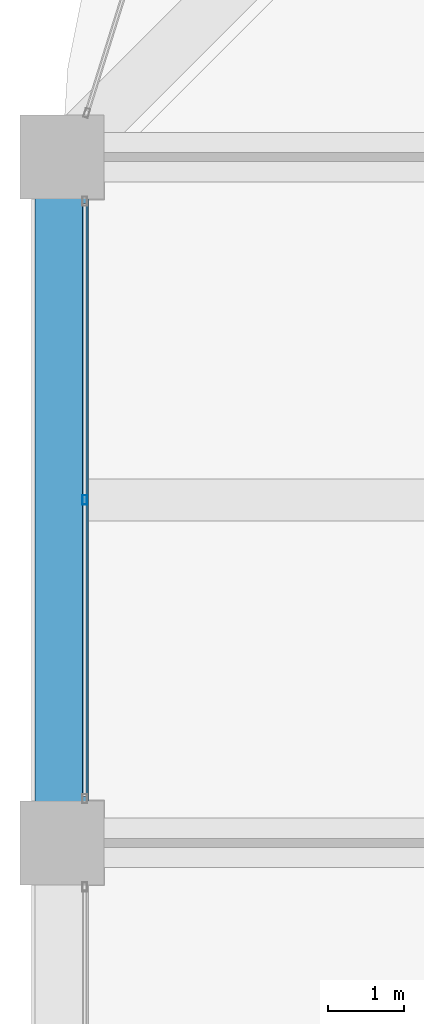
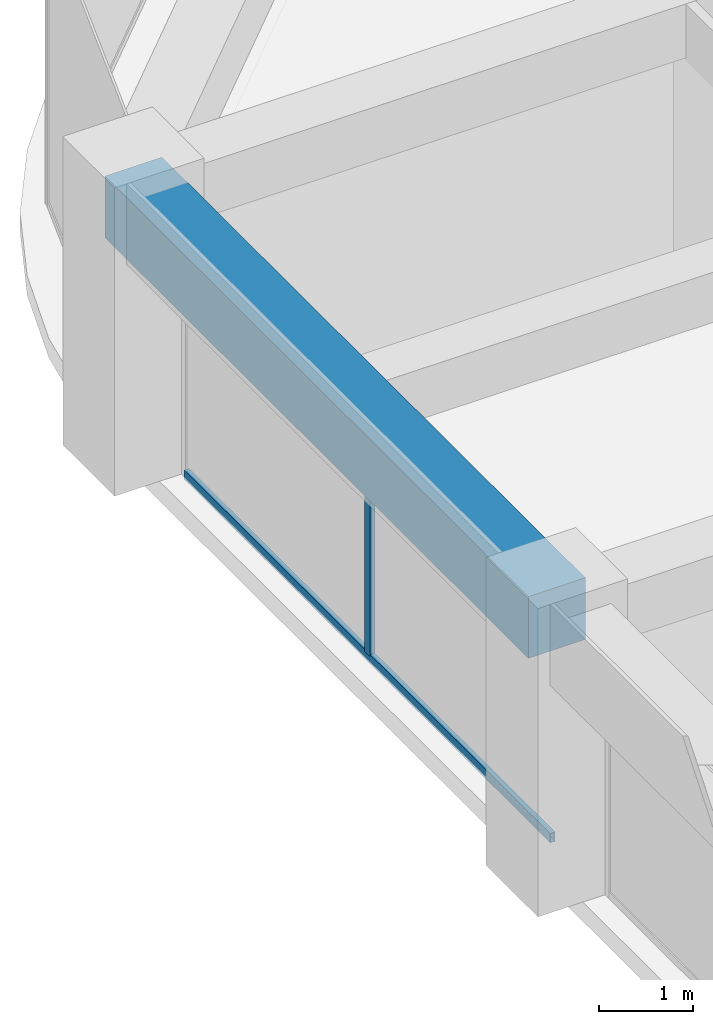
# One storey, part 16 of 44: 2 members, 1 beam, 1 element without a shape of its own.
"""IFC4 building model written with IfcOpenShell, lengths in metres."""

from ifc_helpers import new_model, si_unit, direction, frame, origin, origin_2d, place, context, subcontext, project, spatial, rectangle, hollow_rectangle, extrude, material, material_profile, profile_set, type_object, element, aggregate, save


model = new_model("IFC4")

# Units and contexts
model_context = context("Model", 3, precision=1e-05, world=origin(), true_north=direction((0.0, 1.0)))
body_context = subcontext(model_context, "Body", "Model", "MODEL_VIEW")
ifc_project = project(units=[si_unit("LENGTHUNIT", "METRE"), si_unit("AREAUNIT", "SQUARE_METRE"), si_unit("VOLUMEUNIT", "CUBIC_METRE"), si_unit("PLANEANGLEUNIT", "RADIAN"), si_unit("MASSUNIT", "GRAM", prefix="KILO")], contexts=[model_context])

# Site, building, storey
site_placement = place(None, origin())
site = spatial("IfcSite", under=ifc_project, at=site_placement, CompositionType="ELEMENT")
building_placement = place(site_placement, origin())
building = spatial("IfcBuilding", under=site, at=building_placement, Name="Zorevar Civic Tower", CompositionType="ELEMENT")
storey_placement = place(building_placement, frame((0.0, 0.0, 283.39990234375)))
storey = spatial("IfcBuildingStorey", under=building, at=storey_placement, Name="L69", CompositionType="ELEMENT", Elevation=283.39990234375)

# Curtain wall, members
ifc_material_1 = material(Name="Dark grey solar-control glass in black aluminium frame", Category="aluminium")
curtain_wall_type = type_object("IfcCurtainWallType", Name="Curtain wall CW5 top zone", PredefinedType="NOTDEFINED", material=ifc_material_1)
curtain_wall_placement = place(storey_placement, origin())
curtain_wall = element("IfcCurtainWall", 1, at=curtain_wall_placement, inside=storey, type_object=curtain_wall_type, Name="CW5 L69", PredefinedType="NOTDEFINED")
ifc_material_2 = material(Name="Aluminium, black anodised", Category="aluminium")
ifc_material_profile_1 = material_profile(ifc_material_2, hollow_rectangle(XDim=0.06005859375, YDim=0.1201171875, WallThickness=0.0029296875, at=origin_2d()), Name="AL 120x60x3")
ifc_profile_set_1 = profile_set([ifc_material_profile_1], Name="Aluminium, black anodised")
member_type_1 = type_object("IfcMemberType", Name="CW5 mullion AL 120x60x3", PredefinedType="MULLION", material=ifc_profile_set_1)
member_1_placement = place(storey_placement, frame((9.300048828125, 31.5, 0.06005859375), z_axis=(0.0, 0.0, 1.0), x_axis=(-1.0, 0.0, 0.0)))
member_1 = element("IfcMember", 2, at=member_1_placement, type_object=member_type_1, Name="CW5 mullion 2", PredefinedType="MULLION", context=body_context, shape_type="SweptSolid", body=[
    extrude(hollow_rectangle(XDim=0.06005859375, YDim=0.1201171875, WallThickness=0.0029296875, at=origin_2d()), origin(), (0.0, 0.0, 1.0), 2.89013671875),
])
ifc_material_3 = material(Name="Aluminium, black anodised", Category="aluminium")
ifc_material_profile_2 = material_profile(ifc_material_3, hollow_rectangle(XDim=0.06005859375, YDim=0.1201171875, WallThickness=0.0029296875, at=origin_2d()), Name="AL 120x60x3")
ifc_profile_set_2 = profile_set([ifc_material_profile_2], Name="Aluminium, black anodised")
member_type_2 = type_object("IfcMemberType", Name="CW5 transom AL 120x60x3", PredefinedType="USERDEFINED", material=ifc_profile_set_2)
member_2_placement = place(storey_placement, frame((9.300048828125, 27.610107421875, 0.030029296875), z_axis=(0.0, 1.0, 0.0), x_axis=(-1.0, 0.0, 0.0)))
member_2 = element("IfcMember", 3, at=member_2_placement, type_object=member_type_2, Name="CW5 sill transom", ObjectType="TRANSOM", PredefinedType="USERDEFINED", context=body_context, shape_type="SweptSolid", body=[
    extrude(hollow_rectangle(XDim=0.06005859375, YDim=0.1201171875, WallThickness=0.0029296875, at=origin_2d()), origin(), (0.0, 0.0, 1.0), 7.77978515625),
])
aggregate(curtain_wall, [member_1, member_2])

# Beam
ifc_material_4 = material(Name="Concrete C50/60", Category="concrete")
ifc_material_profile_3 = material_profile(ifc_material_4, rectangle(XDim=0.699951171875, YDim=0.800048828125, at=origin_2d()), Name="RC 700x800")
ifc_profile_set_3 = profile_set([ifc_material_profile_3], Name="Concrete C50/60")
beam_type = type_object("IfcBeamType", Name="Edge beam RC 700x800", PredefinedType="SPANDREL", material=ifc_profile_set_3)
beam_placement = place(storey_placement, frame((9.0, 27.0, 3.35009765625), z_axis=(0.0, 1.0, 0.0), x_axis=(-1.0, 0.0, 0.0)))
element("IfcBeam", 4, at=beam_placement, inside=storey, type_object=beam_type, Name="Edge beam L70", PredefinedType="SPANDREL", context=body_context, shape_type="SweptSolid", body=[
    extrude(rectangle(XDim=0.699951171875, YDim=0.800048828125, at=origin_2d()), origin(), (0.0, 0.0, 1.0), 9.0),
])

save(model, "model.ifc")
